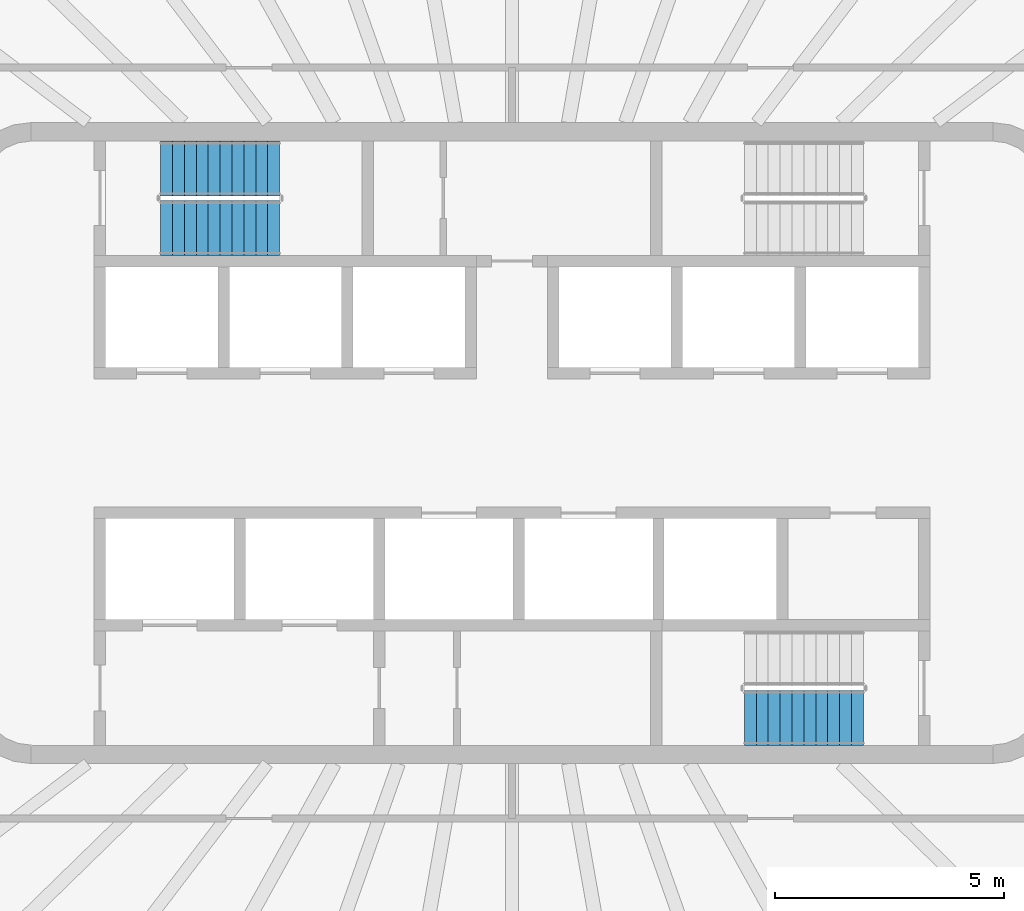
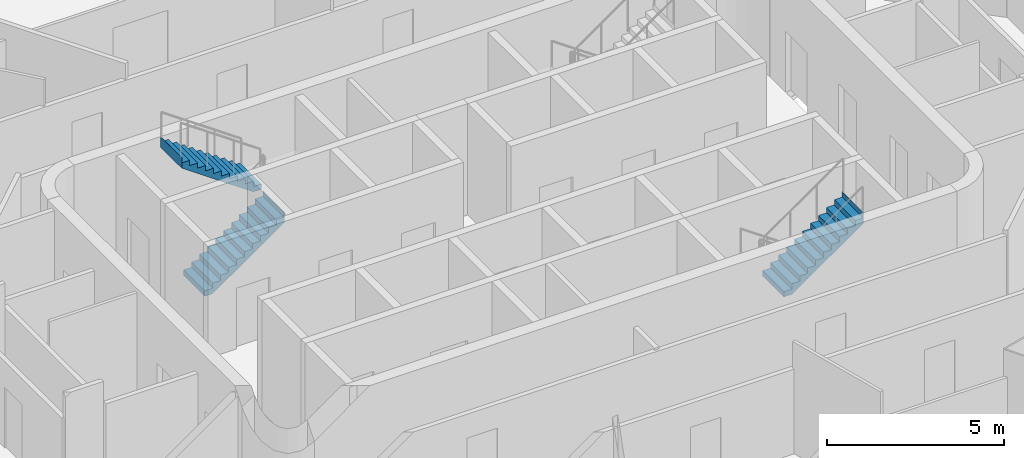
# One storey, part 12 of 18: 3 stair flights, 2 elements without a shape of their own.
"""IFC4 building model written with IfcOpenShell, lengths in metres."""

from ifc_helpers import new_model, si_unit, direction, frame, origin, place, context, subcontext, project, spatial, triangles, material, type_object, element, aggregate, save


model = new_model("IFC4")

# Units and contexts
model_context = context("Model", 3, precision=1e-05, world=origin(), true_north=direction((0.0, 1.0)))
body_context = subcontext(model_context, "Body", "Model", "MODEL_VIEW")
ifc_project = project(units=[si_unit("LENGTHUNIT", "METRE"), si_unit("AREAUNIT", "SQUARE_METRE"), si_unit("VOLUMEUNIT", "CUBIC_METRE"), si_unit("PLANEANGLEUNIT", "RADIAN"), si_unit("MASSUNIT", "GRAM", prefix="KILO")], contexts=[model_context])

# Site, building, storey
site_placement = place(None, origin())
site = spatial("IfcSite", under=ifc_project, at=site_placement, CompositionType="ELEMENT")
building_placement = place(site_placement, origin())
building = spatial("IfcBuilding", under=site, at=building_placement, Name="Sahrelin Media Tower", CompositionType="ELEMENT")
storey_placement = place(building_placement, frame((0.0, 0.0, 308.39990234375)))
storey = spatial("IfcBuildingStorey", under=building, at=storey_placement, Name="L68", CompositionType="ELEMENT", Elevation=308.39990234375)

# Stair, stair flights
ifc_material = material(Name="Concrete C40/50", Category="concrete")
stair_type = type_object("IfcStairType", Name="Exit stair 1200", PredefinedType="HALF_TURN_STAIR", material=ifc_material)
placement = place(storey_placement, origin())
stair_1 = element("IfcStair", 1, at=placement, inside=storey, type_object=stair_type, Name="L68 Exit stair ST1", PredefinedType="HALF_TURN_STAIR")
stair_flight_type = type_object("IfcStairFlightType", Name="Stair flight 1200", PredefinedType="STRAIGHT", material=ifc_material)
stair_flight_1_placement = place(storey_placement, frame((-7.675048828125, 4.699951171875, 0.0), z_axis=(0.0, 0.0, 1.0), x_axis=(1.0, 0.0, 0.0)))
stair_flight_1 = element("IfcStairFlight", 2, at=stair_flight_1_placement, type_object=stair_flight_type, Name="ST1 flight 1", NumberOfRisers=11, NumberOfTreads=10, PredefinedType="STRAIGHT", RiserHeight=0.181818182, TreadLength=0.26, context=body_context, shape_type="Tessellation", body=[
    triangles([(0.261474609375, 0.60009765625, 0.0), (0.261474609375, 0.300048828125, 0.0), (0.261474609375, 0.0, 0.0), (0.261474609375, -0.300048828125, 0.0), (0.261474609375, -0.60009765625, 0.0), (2.60009765625, 0.60009765625, 1.63525390625), (2.60009765625, 0.300048828125, 1.63525390625), (2.60009765625, 0.0, 1.63525390625), (2.60009765625, -0.300048828125, 1.63525390625), (2.60009765625, -0.60009765625, 1.63525390625), (2.60009765625, 0.60009765625, 2.0), (2.60009765625, 0.300048828125, 2.0), (2.60009765625, 0.0, 2.0), (2.60009765625, -0.300048828125, 2.0), (2.60009765625, -0.60009765625, 2.0), (2.597900390625, 0.60009765625, 2.0), (2.597900390625, 0.300048828125, 2.0), (2.597900390625, 0.0, 2.0), (2.597900390625, -0.300048828125, 2.0), (2.597900390625, -0.60009765625, 2.0), (2.597900390625, 0.60009765625, 1.818115234375), (2.597900390625, 0.300048828125, 1.818115234375), (2.597900390625, 0.0, 1.818115234375), (2.597900390625, -0.300048828125, 1.818115234375), (2.597900390625, -0.60009765625, 1.818115234375), (2.340087890625, 0.60009765625, 1.818115234375), (2.340087890625, 0.300048828125, 1.818115234375), (2.340087890625, 0.0, 1.818115234375), (2.340087890625, -0.300048828125, 1.818115234375), (2.340087890625, -0.60009765625, 1.818115234375), (2.340087890625, 0.60009765625, 1.636474609375), (2.340087890625, 0.300048828125, 1.636474609375), (2.340087890625, 0.0, 1.636474609375), (2.340087890625, -0.300048828125, 1.636474609375), (2.340087890625, -0.60009765625, 1.636474609375), (2.080078125, 0.60009765625, 1.636474609375), (2.080078125, 0.300048828125, 1.636474609375), (2.080078125, 0.0, 1.636474609375), (2.080078125, -0.300048828125, 1.636474609375), (2.080078125, -0.60009765625, 1.636474609375), (2.080078125, 0.60009765625, 1.45458984375), (2.080078125, 0.300048828125, 1.45458984375), (2.080078125, 0.0, 1.45458984375), (2.080078125, -0.300048828125, 1.45458984375), (2.080078125, -0.60009765625, 1.45458984375), (1.820068359375, 0.60009765625, 1.45458984375), (1.820068359375, 0.300048828125, 1.45458984375), (1.820068359375, 0.0, 1.45458984375), (1.820068359375, -0.300048828125, 1.45458984375), (1.820068359375, -0.60009765625, 1.45458984375), (1.820068359375, 0.60009765625, 1.272705078125), (1.820068359375, 0.300048828125, 1.272705078125), (1.820068359375, 0.0, 1.272705078125), (1.820068359375, -0.300048828125, 1.272705078125), (1.820068359375, -0.60009765625, 1.272705078125), (1.56005859375, 0.60009765625, 1.272705078125), (1.56005859375, 0.300048828125, 1.272705078125), (1.56005859375, 0.0, 1.272705078125), (1.56005859375, -0.300048828125, 1.272705078125), (1.56005859375, -0.60009765625, 1.272705078125), (1.56005859375, 0.60009765625, 1.0908203125), (1.56005859375, 0.300048828125, 1.0908203125), (1.56005859375, 0.0, 1.0908203125), (1.56005859375, -0.300048828125, 1.0908203125), (1.56005859375, -0.60009765625, 1.0908203125), (1.300048828125, 0.60009765625, 1.0908203125), (1.300048828125, 0.300048828125, 1.0908203125), (1.300048828125, 0.0, 1.0908203125), (1.300048828125, -0.300048828125, 1.0908203125), (1.300048828125, -0.60009765625, 1.0908203125), (1.300048828125, 0.60009765625, 0.9091796875), (1.300048828125, 0.300048828125, 0.9091796875), (1.300048828125, 0.0, 0.9091796875), (1.300048828125, -0.300048828125, 0.9091796875), (1.300048828125, -0.60009765625, 0.9091796875), (1.0400390625, 0.60009765625, 0.9091796875), (1.0400390625, 0.300048828125, 0.9091796875), (1.0400390625, 0.0, 0.9091796875), (1.0400390625, -0.300048828125, 0.9091796875), (1.0400390625, -0.60009765625, 0.9091796875), (1.0400390625, 0.60009765625, 0.727294921875), (1.0400390625, 0.300048828125, 0.727294921875), (1.0400390625, 0.0, 0.727294921875), (1.0400390625, -0.300048828125, 0.727294921875), (1.0400390625, -0.60009765625, 0.727294921875), (0.780029296875, 0.60009765625, 0.727294921875), (0.780029296875, 0.300048828125, 0.727294921875), (0.780029296875, 0.0, 0.727294921875), (0.780029296875, -0.300048828125, 0.727294921875), (0.780029296875, -0.60009765625, 0.727294921875), (0.780029296875, 0.60009765625, 0.54541015625), (0.780029296875, 0.300048828125, 0.54541015625), (0.780029296875, 0.0, 0.54541015625), (0.780029296875, -0.300048828125, 0.54541015625), (0.780029296875, -0.60009765625, 0.54541015625), (0.52001953125, 0.60009765625, 0.54541015625), (0.52001953125, 0.300048828125, 0.54541015625), (0.52001953125, 0.0, 0.54541015625), (0.52001953125, -0.300048828125, 0.54541015625), (0.52001953125, -0.60009765625, 0.54541015625), (0.52001953125, 0.60009765625, 0.363525390625), (0.52001953125, 0.300048828125, 0.363525390625), (0.52001953125, 0.0, 0.363525390625), (0.52001953125, -0.300048828125, 0.363525390625), (0.52001953125, -0.60009765625, 0.363525390625), (0.260009765625, 0.60009765625, 0.363525390625), (0.260009765625, 0.300048828125, 0.363525390625), (0.260009765625, 0.0, 0.363525390625), (0.260009765625, -0.300048828125, 0.363525390625), (0.260009765625, -0.60009765625, 0.363525390625), (0.260009765625, 0.60009765625, 0.181884765625), (0.260009765625, 0.300048828125, 0.181884765625), (0.260009765625, 0.0, 0.181884765625), (0.260009765625, -0.300048828125, 0.181884765625), (0.260009765625, -0.60009765625, 0.181884765625), (0.0, 0.60009765625, 0.181884765625), (0.0, 0.300048828125, 0.181884765625), (0.0, 0.0, 0.181884765625), (0.0, -0.300048828125, 0.181884765625), (0.0, -0.60009765625, 0.181884765625), (0.0, 0.60009765625, 0.0), (0.0, 0.300048828125, 0.0), (0.0, 0.0, 0.0), (0.0, -0.300048828125, 0.0), (0.0, -0.60009765625, 0.0)], [[1, 6, 7], [1, 7, 2], [2, 7, 8], [2, 8, 3], [3, 8, 9], [3, 9, 4], [4, 9, 10], [4, 10, 5], [6, 11, 12], [6, 12, 7], [7, 12, 13], [7, 13, 8], [8, 13, 14], [8, 14, 9], [9, 14, 15], [9, 15, 10], [11, 16, 17], [11, 17, 12], [12, 17, 18], [12, 18, 13], [13, 18, 19], [13, 19, 14], [14, 19, 20], [14, 20, 15], [16, 21, 22], [16, 22, 17], [17, 22, 23], [17, 23, 18], [18, 23, 24], [18, 24, 19], [19, 24, 25], [19, 25, 20], [21, 26, 27], [21, 27, 22], [22, 27, 28], [22, 28, 23], [23, 28, 29], [23, 29, 24], [24, 29, 30], [24, 30, 25], [26, 31, 32], [26, 32, 27], [27, 32, 33], [27, 33, 28], [28, 33, 34], [28, 34, 29], [29, 34, 35], [29, 35, 30], [31, 36, 37], [31, 37, 32], [32, 37, 38], [32, 38, 33], [33, 38, 39], [33, 39, 34], [34, 39, 40], [34, 40, 35], [36, 41, 42], [36, 42, 37], [37, 42, 43], [37, 43, 38], [38, 43, 44], [38, 44, 39], [39, 44, 45], [39, 45, 40], [41, 46, 47], [41, 47, 42], [42, 47, 48], [42, 48, 43], [43, 48, 49], [43, 49, 44], [44, 49, 50], [44, 50, 45], [46, 51, 52], [46, 52, 47], [47, 52, 53], [47, 53, 48], [48, 53, 54], [48, 54, 49], [49, 54, 55], [49, 55, 50], [51, 56, 57], [51, 57, 52], [52, 57, 58], [52, 58, 53], [53, 58, 59], [53, 59, 54], [54, 59, 60], [54, 60, 55], [56, 61, 62], [56, 62, 57], [57, 62, 63], [57, 63, 58], [58, 63, 64], [58, 64, 59], [59, 64, 65], [59, 65, 60], [61, 66, 67], [61, 67, 62], [62, 67, 68], [62, 68, 63], [63, 68, 69], [63, 69, 64], [64, 69, 70], [64, 70, 65], [66, 71, 72], [66, 72, 67], [67, 72, 73], [67, 73, 68], [68, 73, 74], [68, 74, 69], [69, 74, 75], [69, 75, 70], [71, 76, 77], [71, 77, 72], [72, 77, 78], [72, 78, 73], [73, 78, 79], [73, 79, 74], [74, 79, 80], [74, 80, 75], [76, 81, 82], [76, 82, 77], [77, 82, 83], [77, 83, 78], [78, 83, 84], [78, 84, 79], [79, 84, 85], [79, 85, 80], [81, 86, 87], [81, 87, 82], [82, 87, 88], [82, 88, 83], [83, 88, 89], [83, 89, 84], [84, 89, 90], [84, 90, 85], [86, 91, 92], [86, 92, 87], [87, 92, 93], [87, 93, 88], [88, 93, 94], [88, 94, 89], [89, 94, 95], [89, 95, 90], [91, 96, 97], [91, 97, 92], [92, 97, 98], [92, 98, 93], [93, 98, 99], [93, 99, 94], [94, 99, 100], [94, 100, 95], [96, 101, 102], [96, 102, 97], [97, 102, 103], [97, 103, 98], [98, 103, 104], [98, 104, 99], [99, 104, 105], [99, 105, 100], [101, 106, 107], [101, 107, 102], [102, 107, 108], [102, 108, 103], [103, 108, 109], [103, 109, 104], [104, 109, 110], [104, 110, 105], [106, 111, 112], [106, 112, 107], [107, 112, 113], [107, 113, 108], [108, 113, 114], [108, 114, 109], [109, 114, 115], [109, 115, 110], [111, 116, 117], [111, 117, 112], [112, 117, 118], [112, 118, 113], [113, 118, 119], [113, 119, 114], [114, 119, 120], [114, 120, 115], [116, 121, 122], [116, 122, 117], [117, 122, 123], [117, 123, 118], [118, 123, 124], [118, 124, 119], [119, 124, 125], [119, 125, 120], [121, 1, 2], [121, 2, 122], [122, 2, 3], [122, 3, 123], [123, 3, 4], [123, 4, 124], [124, 4, 5], [124, 5, 125], [115, 120, 125], [111, 121, 116], [115, 105, 110], [111, 106, 101], [105, 95, 100], [101, 96, 91], [95, 85, 90], [91, 86, 81], [85, 75, 80], [81, 76, 71], [75, 65, 70], [71, 66, 61], [65, 55, 60], [61, 56, 51], [55, 45, 50], [51, 46, 41], [45, 35, 40], [41, 36, 31], [35, 25, 30], [31, 26, 21], [25, 15, 20], [21, 16, 11], [125, 5, 115], [121, 111, 1], [25, 10, 15], [21, 11, 6], [105, 115, 5], [101, 1, 111], [35, 10, 25], [31, 21, 6], [95, 105, 5], [91, 1, 101], [45, 10, 35], [41, 31, 6], [85, 95, 5], [81, 1, 91], [55, 10, 45], [51, 41, 6], [75, 85, 5], [71, 1, 81], [65, 10, 55], [61, 51, 6], [5, 10, 75], [1, 71, 6], [75, 10, 65], [71, 61, 6]], closed=True),
])
stair_flight_2_placement = place(storey_placement, frame((-5.074951171875, 6.0, 2.0), z_axis=(0.0, 0.0, 1.0), x_axis=(-1.0, 0.0, 0.0)))
stair_flight_2 = element("IfcStairFlight", 3, at=stair_flight_2_placement, type_object=stair_flight_type, Name="ST1 flight 2", NumberOfRisers=11, NumberOfTreads=10, PredefinedType="STRAIGHT", RiserHeight=0.181818182, TreadLength=0.26, context=body_context, shape_type="Tessellation", body=[
    triangles([(0.261474609375, 0.60009765625, 0.0), (0.261474609375, 0.300048828125, 0.0), (0.261474609375, 0.0, 0.0), (0.261474609375, -0.300048828125, 0.0), (0.261474609375, -0.60009765625, 0.0), (2.60009765625, 0.60009765625, 1.63525390625), (2.60009765625, 0.300048828125, 1.63525390625), (2.60009765625, 0.0, 1.63525390625), (2.60009765625, -0.300048828125, 1.63525390625), (2.60009765625, -0.60009765625, 1.63525390625), (2.60009765625, 0.60009765625, 2.0), (2.60009765625, 0.300048828125, 2.0), (2.60009765625, 0.0, 2.0), (2.60009765625, -0.300048828125, 2.0), (2.60009765625, -0.60009765625, 2.0), (2.597900390625, 0.60009765625, 2.0), (2.597900390625, 0.300048828125, 2.0), (2.597900390625, 0.0, 2.0), (2.597900390625, -0.300048828125, 2.0), (2.597900390625, -0.60009765625, 2.0), (2.597900390625, 0.60009765625, 1.818115234375), (2.597900390625, 0.300048828125, 1.818115234375), (2.597900390625, 0.0, 1.818115234375), (2.597900390625, -0.300048828125, 1.818115234375), (2.597900390625, -0.60009765625, 1.818115234375), (2.340087890625, 0.60009765625, 1.818115234375), (2.340087890625, 0.300048828125, 1.818115234375), (2.340087890625, 0.0, 1.818115234375), (2.340087890625, -0.300048828125, 1.818115234375), (2.340087890625, -0.60009765625, 1.818115234375), (2.340087890625, 0.60009765625, 1.636474609375), (2.340087890625, 0.300048828125, 1.636474609375), (2.340087890625, 0.0, 1.636474609375), (2.340087890625, -0.300048828125, 1.636474609375), (2.340087890625, -0.60009765625, 1.636474609375), (2.080078125, 0.60009765625, 1.636474609375), (2.080078125, 0.300048828125, 1.636474609375), (2.080078125, 0.0, 1.636474609375), (2.080078125, -0.300048828125, 1.636474609375), (2.080078125, -0.60009765625, 1.636474609375), (2.080078125, 0.60009765625, 1.45458984375), (2.080078125, 0.300048828125, 1.45458984375), (2.080078125, 0.0, 1.45458984375), (2.080078125, -0.300048828125, 1.45458984375), (2.080078125, -0.60009765625, 1.45458984375), (1.820068359375, 0.60009765625, 1.45458984375), (1.820068359375, 0.300048828125, 1.45458984375), (1.820068359375, 0.0, 1.45458984375), (1.820068359375, -0.300048828125, 1.45458984375), (1.820068359375, -0.60009765625, 1.45458984375), (1.820068359375, 0.60009765625, 1.272705078125), (1.820068359375, 0.300048828125, 1.272705078125), (1.820068359375, 0.0, 1.272705078125), (1.820068359375, -0.300048828125, 1.272705078125), (1.820068359375, -0.60009765625, 1.272705078125), (1.56005859375, 0.60009765625, 1.272705078125), (1.56005859375, 0.300048828125, 1.272705078125), (1.56005859375, 0.0, 1.272705078125), (1.56005859375, -0.300048828125, 1.272705078125), (1.56005859375, -0.60009765625, 1.272705078125), (1.56005859375, 0.60009765625, 1.0908203125), (1.56005859375, 0.300048828125, 1.0908203125), (1.56005859375, 0.0, 1.0908203125), (1.56005859375, -0.300048828125, 1.0908203125), (1.56005859375, -0.60009765625, 1.0908203125), (1.300048828125, 0.60009765625, 1.0908203125), (1.300048828125, 0.300048828125, 1.0908203125), (1.300048828125, 0.0, 1.0908203125), (1.300048828125, -0.300048828125, 1.0908203125), (1.300048828125, -0.60009765625, 1.0908203125), (1.300048828125, 0.60009765625, 0.9091796875), (1.300048828125, 0.300048828125, 0.9091796875), (1.300048828125, 0.0, 0.9091796875), (1.300048828125, -0.300048828125, 0.9091796875), (1.300048828125, -0.60009765625, 0.9091796875), (1.0400390625, 0.60009765625, 0.9091796875), (1.0400390625, 0.300048828125, 0.9091796875), (1.0400390625, 0.0, 0.9091796875), (1.0400390625, -0.300048828125, 0.9091796875), (1.0400390625, -0.60009765625, 0.9091796875), (1.0400390625, 0.60009765625, 0.727294921875), (1.0400390625, 0.300048828125, 0.727294921875), (1.0400390625, 0.0, 0.727294921875), (1.0400390625, -0.300048828125, 0.727294921875), (1.0400390625, -0.60009765625, 0.727294921875), (0.780029296875, 0.60009765625, 0.727294921875), (0.780029296875, 0.300048828125, 0.727294921875), (0.780029296875, 0.0, 0.727294921875), (0.780029296875, -0.300048828125, 0.727294921875), (0.780029296875, -0.60009765625, 0.727294921875), (0.780029296875, 0.60009765625, 0.54541015625), (0.780029296875, 0.300048828125, 0.54541015625), (0.780029296875, 0.0, 0.54541015625), (0.780029296875, -0.300048828125, 0.54541015625), (0.780029296875, -0.60009765625, 0.54541015625), (0.52001953125, 0.60009765625, 0.54541015625), (0.52001953125, 0.300048828125, 0.54541015625), (0.52001953125, 0.0, 0.54541015625), (0.52001953125, -0.300048828125, 0.54541015625), (0.52001953125, -0.60009765625, 0.54541015625), (0.52001953125, 0.60009765625, 0.363525390625), (0.52001953125, 0.300048828125, 0.363525390625), (0.52001953125, 0.0, 0.363525390625), (0.52001953125, -0.300048828125, 0.363525390625), (0.52001953125, -0.60009765625, 0.363525390625), (0.260009765625, 0.60009765625, 0.363525390625), (0.260009765625, 0.300048828125, 0.363525390625), (0.260009765625, 0.0, 0.363525390625), (0.260009765625, -0.300048828125, 0.363525390625), (0.260009765625, -0.60009765625, 0.363525390625), (0.260009765625, 0.60009765625, 0.181884765625), (0.260009765625, 0.300048828125, 0.181884765625), (0.260009765625, 0.0, 0.181884765625), (0.260009765625, -0.300048828125, 0.181884765625), (0.260009765625, -0.60009765625, 0.181884765625), (0.0, 0.60009765625, 0.181884765625), (0.0, 0.300048828125, 0.181884765625), (0.0, 0.0, 0.181884765625), (0.0, -0.300048828125, 0.181884765625), (0.0, -0.60009765625, 0.181884765625), (0.0, 0.60009765625, 0.0), (0.0, 0.300048828125, 0.0), (0.0, 0.0, 0.0), (0.0, -0.300048828125, 0.0), (0.0, -0.60009765625, 0.0)], [[1, 6, 7], [1, 7, 2], [2, 7, 8], [2, 8, 3], [3, 8, 9], [3, 9, 4], [4, 9, 10], [4, 10, 5], [6, 11, 12], [6, 12, 7], [7, 12, 13], [7, 13, 8], [8, 13, 14], [8, 14, 9], [9, 14, 15], [9, 15, 10], [11, 16, 17], [11, 17, 12], [12, 17, 18], [12, 18, 13], [13, 18, 19], [13, 19, 14], [14, 19, 20], [14, 20, 15], [16, 21, 22], [16, 22, 17], [17, 22, 23], [17, 23, 18], [18, 23, 24], [18, 24, 19], [19, 24, 25], [19, 25, 20], [21, 26, 27], [21, 27, 22], [22, 27, 28], [22, 28, 23], [23, 28, 29], [23, 29, 24], [24, 29, 30], [24, 30, 25], [26, 31, 32], [26, 32, 27], [27, 32, 33], [27, 33, 28], [28, 33, 34], [28, 34, 29], [29, 34, 35], [29, 35, 30], [31, 36, 37], [31, 37, 32], [32, 37, 38], [32, 38, 33], [33, 38, 39], [33, 39, 34], [34, 39, 40], [34, 40, 35], [36, 41, 42], [36, 42, 37], [37, 42, 43], [37, 43, 38], [38, 43, 44], [38, 44, 39], [39, 44, 45], [39, 45, 40], [41, 46, 47], [41, 47, 42], [42, 47, 48], [42, 48, 43], [43, 48, 49], [43, 49, 44], [44, 49, 50], [44, 50, 45], [46, 51, 52], [46, 52, 47], [47, 52, 53], [47, 53, 48], [48, 53, 54], [48, 54, 49], [49, 54, 55], [49, 55, 50], [51, 56, 57], [51, 57, 52], [52, 57, 58], [52, 58, 53], [53, 58, 59], [53, 59, 54], [54, 59, 60], [54, 60, 55], [56, 61, 62], [56, 62, 57], [57, 62, 63], [57, 63, 58], [58, 63, 64], [58, 64, 59], [59, 64, 65], [59, 65, 60], [61, 66, 67], [61, 67, 62], [62, 67, 68], [62, 68, 63], [63, 68, 69], [63, 69, 64], [64, 69, 70], [64, 70, 65], [66, 71, 72], [66, 72, 67], [67, 72, 73], [67, 73, 68], [68, 73, 74], [68, 74, 69], [69, 74, 75], [69, 75, 70], [71, 76, 77], [71, 77, 72], [72, 77, 78], [72, 78, 73], [73, 78, 79], [73, 79, 74], [74, 79, 80], [74, 80, 75], [76, 81, 82], [76, 82, 77], [77, 82, 83], [77, 83, 78], [78, 83, 84], [78, 84, 79], [79, 84, 85], [79, 85, 80], [81, 86, 87], [81, 87, 82], [82, 87, 88], [82, 88, 83], [83, 88, 89], [83, 89, 84], [84, 89, 90], [84, 90, 85], [86, 91, 92], [86, 92, 87], [87, 92, 93], [87, 93, 88], [88, 93, 94], [88, 94, 89], [89, 94, 95], [89, 95, 90], [91, 96, 97], [91, 97, 92], [92, 97, 98], [92, 98, 93], [93, 98, 99], [93, 99, 94], [94, 99, 100], [94, 100, 95], [96, 101, 102], [96, 102, 97], [97, 102, 103], [97, 103, 98], [98, 103, 104], [98, 104, 99], [99, 104, 105], [99, 105, 100], [101, 106, 107], [101, 107, 102], [102, 107, 108], [102, 108, 103], [103, 108, 109], [103, 109, 104], [104, 109, 110], [104, 110, 105], [106, 111, 112], [106, 112, 107], [107, 112, 113], [107, 113, 108], [108, 113, 114], [108, 114, 109], [109, 114, 115], [109, 115, 110], [111, 116, 117], [111, 117, 112], [112, 117, 118], [112, 118, 113], [113, 118, 119], [113, 119, 114], [114, 119, 120], [114, 120, 115], [116, 121, 122], [116, 122, 117], [117, 122, 123], [117, 123, 118], [118, 123, 124], [118, 124, 119], [119, 124, 125], [119, 125, 120], [121, 1, 2], [121, 2, 122], [122, 2, 3], [122, 3, 123], [123, 3, 4], [123, 4, 124], [124, 4, 5], [124, 5, 125], [115, 120, 125], [111, 121, 116], [115, 105, 110], [111, 106, 101], [105, 95, 100], [101, 96, 91], [95, 85, 90], [91, 86, 81], [85, 75, 80], [81, 76, 71], [75, 65, 70], [71, 66, 61], [65, 55, 60], [61, 56, 51], [55, 45, 50], [51, 46, 41], [45, 35, 40], [41, 36, 31], [35, 25, 30], [31, 26, 21], [25, 15, 20], [21, 16, 11], [125, 5, 115], [121, 111, 1], [25, 10, 15], [21, 11, 6], [105, 115, 5], [101, 1, 111], [35, 10, 25], [31, 21, 6], [95, 105, 5], [91, 1, 101], [45, 10, 35], [41, 31, 6], [85, 95, 5], [81, 1, 91], [55, 10, 45], [51, 41, 6], [75, 85, 5], [71, 1, 81], [65, 10, 55], [61, 51, 6], [5, 10, 75], [1, 71, 6], [75, 10, 65], [71, 61, 6]], closed=True),
])
aggregate(stair_1, [stair_flight_1, stair_flight_2])

# Stair, stair flight
stair_2 = element("IfcStair", 4, at=placement, inside=storey, type_object=stair_type, Name="L68 Exit stair ST2", PredefinedType="HALF_TURN_STAIR")
stair_flight_3_placement = place(storey_placement, frame((5.074951171875, -6.0, 2.0), z_axis=(0.0, 0.0, 1.0), x_axis=(1.0, 0.0, 0.0)))
stair_flight_3 = element("IfcStairFlight", 5, at=stair_flight_3_placement, type_object=stair_flight_type, Name="ST2 flight 2", NumberOfRisers=11, NumberOfTreads=10, PredefinedType="STRAIGHT", RiserHeight=0.181818182, TreadLength=0.26, context=body_context, shape_type="Tessellation", body=[
    triangles([(0.261474609375, 0.60009765625, 0.0), (0.261474609375, 0.300048828125, 0.0), (0.261474609375, 0.0, 0.0), (0.261474609375, -0.300048828125, 0.0), (0.261474609375, -0.60009765625, 0.0), (2.60009765625, 0.60009765625, 1.63525390625), (2.60009765625, 0.300048828125, 1.63525390625), (2.60009765625, 0.0, 1.63525390625), (2.60009765625, -0.300048828125, 1.63525390625), (2.60009765625, -0.60009765625, 1.63525390625), (2.60009765625, 0.60009765625, 2.0), (2.60009765625, 0.300048828125, 2.0), (2.60009765625, 0.0, 2.0), (2.60009765625, -0.300048828125, 2.0), (2.60009765625, -0.60009765625, 2.0), (2.597900390625, 0.60009765625, 2.0), (2.597900390625, 0.300048828125, 2.0), (2.597900390625, 0.0, 2.0), (2.597900390625, -0.300048828125, 2.0), (2.597900390625, -0.60009765625, 2.0), (2.597900390625, 0.60009765625, 1.818115234375), (2.597900390625, 0.300048828125, 1.818115234375), (2.597900390625, 0.0, 1.818115234375), (2.597900390625, -0.300048828125, 1.818115234375), (2.597900390625, -0.60009765625, 1.818115234375), (2.340087890625, 0.60009765625, 1.818115234375), (2.340087890625, 0.300048828125, 1.818115234375), (2.340087890625, 0.0, 1.818115234375), (2.340087890625, -0.300048828125, 1.818115234375), (2.340087890625, -0.60009765625, 1.818115234375), (2.340087890625, 0.60009765625, 1.636474609375), (2.340087890625, 0.300048828125, 1.636474609375), (2.340087890625, 0.0, 1.636474609375), (2.340087890625, -0.300048828125, 1.636474609375), (2.340087890625, -0.60009765625, 1.636474609375), (2.080078125, 0.60009765625, 1.636474609375), (2.080078125, 0.300048828125, 1.636474609375), (2.080078125, 0.0, 1.636474609375), (2.080078125, -0.300048828125, 1.636474609375), (2.080078125, -0.60009765625, 1.636474609375), (2.080078125, 0.60009765625, 1.45458984375), (2.080078125, 0.300048828125, 1.45458984375), (2.080078125, 0.0, 1.45458984375), (2.080078125, -0.300048828125, 1.45458984375), (2.080078125, -0.60009765625, 1.45458984375), (1.820068359375, 0.60009765625, 1.45458984375), (1.820068359375, 0.300048828125, 1.45458984375), (1.820068359375, 0.0, 1.45458984375), (1.820068359375, -0.300048828125, 1.45458984375), (1.820068359375, -0.60009765625, 1.45458984375), (1.820068359375, 0.60009765625, 1.272705078125), (1.820068359375, 0.300048828125, 1.272705078125), (1.820068359375, 0.0, 1.272705078125), (1.820068359375, -0.300048828125, 1.272705078125), (1.820068359375, -0.60009765625, 1.272705078125), (1.56005859375, 0.60009765625, 1.272705078125), (1.56005859375, 0.300048828125, 1.272705078125), (1.56005859375, 0.0, 1.272705078125), (1.56005859375, -0.300048828125, 1.272705078125), (1.56005859375, -0.60009765625, 1.272705078125), (1.56005859375, 0.60009765625, 1.0908203125), (1.56005859375, 0.300048828125, 1.0908203125), (1.56005859375, 0.0, 1.0908203125), (1.56005859375, -0.300048828125, 1.0908203125), (1.56005859375, -0.60009765625, 1.0908203125), (1.300048828125, 0.60009765625, 1.0908203125), (1.300048828125, 0.300048828125, 1.0908203125), (1.300048828125, 0.0, 1.0908203125), (1.300048828125, -0.300048828125, 1.0908203125), (1.300048828125, -0.60009765625, 1.0908203125), (1.300048828125, 0.60009765625, 0.9091796875), (1.300048828125, 0.300048828125, 0.9091796875), (1.300048828125, 0.0, 0.9091796875), (1.300048828125, -0.300048828125, 0.9091796875), (1.300048828125, -0.60009765625, 0.9091796875), (1.0400390625, 0.60009765625, 0.9091796875), (1.0400390625, 0.300048828125, 0.9091796875), (1.0400390625, 0.0, 0.9091796875), (1.0400390625, -0.300048828125, 0.9091796875), (1.0400390625, -0.60009765625, 0.9091796875), (1.0400390625, 0.60009765625, 0.727294921875), (1.0400390625, 0.300048828125, 0.727294921875), (1.0400390625, 0.0, 0.727294921875), (1.0400390625, -0.300048828125, 0.727294921875), (1.0400390625, -0.60009765625, 0.727294921875), (0.780029296875, 0.60009765625, 0.727294921875), (0.780029296875, 0.300048828125, 0.727294921875), (0.780029296875, 0.0, 0.727294921875), (0.780029296875, -0.300048828125, 0.727294921875), (0.780029296875, -0.60009765625, 0.727294921875), (0.780029296875, 0.60009765625, 0.54541015625), (0.780029296875, 0.300048828125, 0.54541015625), (0.780029296875, 0.0, 0.54541015625), (0.780029296875, -0.300048828125, 0.54541015625), (0.780029296875, -0.60009765625, 0.54541015625), (0.52001953125, 0.60009765625, 0.54541015625), (0.52001953125, 0.300048828125, 0.54541015625), (0.52001953125, 0.0, 0.54541015625), (0.52001953125, -0.300048828125, 0.54541015625), (0.52001953125, -0.60009765625, 0.54541015625), (0.52001953125, 0.60009765625, 0.363525390625), (0.52001953125, 0.300048828125, 0.363525390625), (0.52001953125, 0.0, 0.363525390625), (0.52001953125, -0.300048828125, 0.363525390625), (0.52001953125, -0.60009765625, 0.363525390625), (0.260009765625, 0.60009765625, 0.363525390625), (0.260009765625, 0.300048828125, 0.363525390625), (0.260009765625, 0.0, 0.363525390625), (0.260009765625, -0.300048828125, 0.363525390625), (0.260009765625, -0.60009765625, 0.363525390625), (0.260009765625, 0.60009765625, 0.181884765625), (0.260009765625, 0.300048828125, 0.181884765625), (0.260009765625, 0.0, 0.181884765625), (0.260009765625, -0.300048828125, 0.181884765625), (0.260009765625, -0.60009765625, 0.181884765625), (0.0, 0.60009765625, 0.181884765625), (0.0, 0.300048828125, 0.181884765625), (0.0, 0.0, 0.181884765625), (0.0, -0.300048828125, 0.181884765625), (0.0, -0.60009765625, 0.181884765625), (0.0, 0.60009765625, 0.0), (0.0, 0.300048828125, 0.0), (0.0, 0.0, 0.0), (0.0, -0.300048828125, 0.0), (0.0, -0.60009765625, 0.0)], [[1, 6, 7], [1, 7, 2], [2, 7, 8], [2, 8, 3], [3, 8, 9], [3, 9, 4], [4, 9, 10], [4, 10, 5], [6, 11, 12], [6, 12, 7], [7, 12, 13], [7, 13, 8], [8, 13, 14], [8, 14, 9], [9, 14, 15], [9, 15, 10], [11, 16, 17], [11, 17, 12], [12, 17, 18], [12, 18, 13], [13, 18, 19], [13, 19, 14], [14, 19, 20], [14, 20, 15], [16, 21, 22], [16, 22, 17], [17, 22, 23], [17, 23, 18], [18, 23, 24], [18, 24, 19], [19, 24, 25], [19, 25, 20], [21, 26, 27], [21, 27, 22], [22, 27, 28], [22, 28, 23], [23, 28, 29], [23, 29, 24], [24, 29, 30], [24, 30, 25], [26, 31, 32], [26, 32, 27], [27, 32, 33], [27, 33, 28], [28, 33, 34], [28, 34, 29], [29, 34, 35], [29, 35, 30], [31, 36, 37], [31, 37, 32], [32, 37, 38], [32, 38, 33], [33, 38, 39], [33, 39, 34], [34, 39, 40], [34, 40, 35], [36, 41, 42], [36, 42, 37], [37, 42, 43], [37, 43, 38], [38, 43, 44], [38, 44, 39], [39, 44, 45], [39, 45, 40], [41, 46, 47], [41, 47, 42], [42, 47, 48], [42, 48, 43], [43, 48, 49], [43, 49, 44], [44, 49, 50], [44, 50, 45], [46, 51, 52], [46, 52, 47], [47, 52, 53], [47, 53, 48], [48, 53, 54], [48, 54, 49], [49, 54, 55], [49, 55, 50], [51, 56, 57], [51, 57, 52], [52, 57, 58], [52, 58, 53], [53, 58, 59], [53, 59, 54], [54, 59, 60], [54, 60, 55], [56, 61, 62], [56, 62, 57], [57, 62, 63], [57, 63, 58], [58, 63, 64], [58, 64, 59], [59, 64, 65], [59, 65, 60], [61, 66, 67], [61, 67, 62], [62, 67, 68], [62, 68, 63], [63, 68, 69], [63, 69, 64], [64, 69, 70], [64, 70, 65], [66, 71, 72], [66, 72, 67], [67, 72, 73], [67, 73, 68], [68, 73, 74], [68, 74, 69], [69, 74, 75], [69, 75, 70], [71, 76, 77], [71, 77, 72], [72, 77, 78], [72, 78, 73], [73, 78, 79], [73, 79, 74], [74, 79, 80], [74, 80, 75], [76, 81, 82], [76, 82, 77], [77, 82, 83], [77, 83, 78], [78, 83, 84], [78, 84, 79], [79, 84, 85], [79, 85, 80], [81, 86, 87], [81, 87, 82], [82, 87, 88], [82, 88, 83], [83, 88, 89], [83, 89, 84], [84, 89, 90], [84, 90, 85], [86, 91, 92], [86, 92, 87], [87, 92, 93], [87, 93, 88], [88, 93, 94], [88, 94, 89], [89, 94, 95], [89, 95, 90], [91, 96, 97], [91, 97, 92], [92, 97, 98], [92, 98, 93], [93, 98, 99], [93, 99, 94], [94, 99, 100], [94, 100, 95], [96, 101, 102], [96, 102, 97], [97, 102, 103], [97, 103, 98], [98, 103, 104], [98, 104, 99], [99, 104, 105], [99, 105, 100], [101, 106, 107], [101, 107, 102], [102, 107, 108], [102, 108, 103], [103, 108, 109], [103, 109, 104], [104, 109, 110], [104, 110, 105], [106, 111, 112], [106, 112, 107], [107, 112, 113], [107, 113, 108], [108, 113, 114], [108, 114, 109], [109, 114, 115], [109, 115, 110], [111, 116, 117], [111, 117, 112], [112, 117, 118], [112, 118, 113], [113, 118, 119], [113, 119, 114], [114, 119, 120], [114, 120, 115], [116, 121, 122], [116, 122, 117], [117, 122, 123], [117, 123, 118], [118, 123, 124], [118, 124, 119], [119, 124, 125], [119, 125, 120], [121, 1, 2], [121, 2, 122], [122, 2, 3], [122, 3, 123], [123, 3, 4], [123, 4, 124], [124, 4, 5], [124, 5, 125], [115, 120, 125], [111, 121, 116], [115, 105, 110], [111, 106, 101], [105, 95, 100], [101, 96, 91], [95, 85, 90], [91, 86, 81], [85, 75, 80], [81, 76, 71], [75, 65, 70], [71, 66, 61], [65, 55, 60], [61, 56, 51], [55, 45, 50], [51, 46, 41], [45, 35, 40], [41, 36, 31], [35, 25, 30], [31, 26, 21], [25, 15, 20], [21, 16, 11], [125, 5, 115], [121, 111, 1], [25, 10, 15], [21, 11, 6], [105, 115, 5], [101, 1, 111], [35, 10, 25], [31, 21, 6], [95, 105, 5], [91, 1, 101], [45, 10, 35], [41, 31, 6], [85, 95, 5], [81, 1, 91], [55, 10, 45], [51, 41, 6], [75, 85, 5], [71, 1, 81], [65, 10, 55], [61, 51, 6], [5, 10, 75], [1, 71, 6], [75, 10, 65], [71, 61, 6]], closed=True),
])
aggregate(stair_2, [stair_flight_3])

save(model, "model.ifc")
